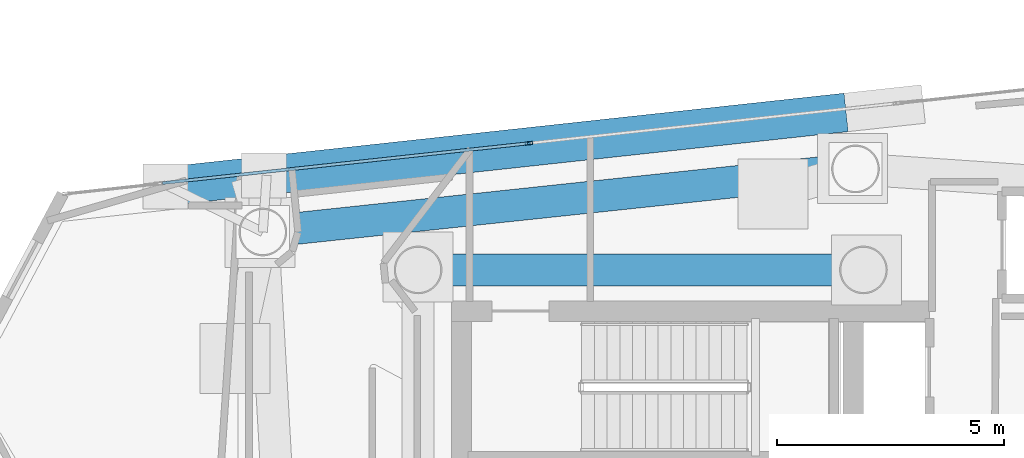
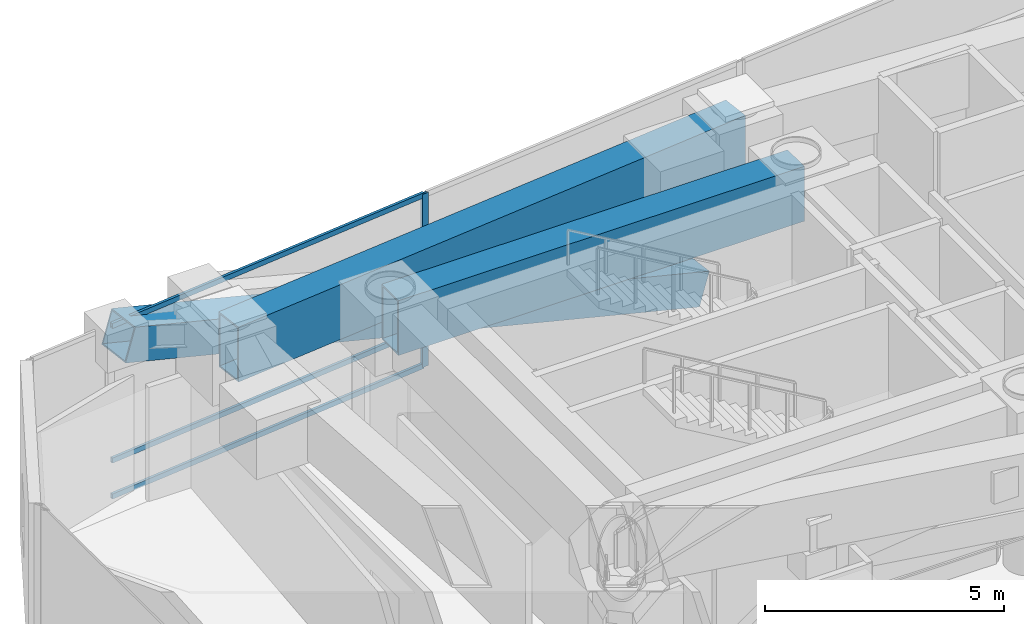
# One storey, part 10 of 21: 5 members, 2 beams, 1 element without a shape of its own.
"""IFC4 building model written with IfcOpenShell, lengths in metres."""

from ifc_helpers import new_model, si_unit, direction, frame, origin, origin_2d, place, context, subcontext, project, spatial, hollow_rectangle, extrude, material, layer, layer_set, material_profile, profile_set, type_object, element, aggregate, save


model = new_model("IFC4")

# Units and contexts
model_context = context("Model", 3, precision=1e-05, world=origin(), true_north=direction((0.0, 1.0)))
body_context = subcontext(model_context, "Body", "Model", "MODEL_VIEW")
ifc_project = project(units=[si_unit("LENGTHUNIT", "METRE"), si_unit("AREAUNIT", "SQUARE_METRE"), si_unit("VOLUMEUNIT", "CUBIC_METRE"), si_unit("PLANEANGLEUNIT", "RADIAN"), si_unit("MASSUNIT", "GRAM", prefix="KILO")], contexts=[model_context])

# Site, building, storey
site_placement = place(None, origin())
site = spatial("IfcSite", under=ifc_project, at=site_placement, CompositionType="ELEMENT")
building_placement = place(site_placement, origin())
building = spatial("IfcBuilding", under=site, at=building_placement, Name="Qianvela Tower", CompositionType="ELEMENT")
storey_placement = place(building_placement, frame((0.0, 0.0, 276.0)))
storey = spatial("IfcBuildingStorey", under=building, at=storey_placement, Name="L71", CompositionType="ELEMENT", Elevation=276.0)

# Beams
ifc_material_1 = material(Name="Steel Q420GJC", Category="steel")
ifc_material_profile_1 = material_profile(ifc_material_1, hollow_rectangle(XDim=0.699951171875, YDim=1.39990234375, WallThickness=0.0400390625, at=origin_2d()), Name="TG-BOX-1400x700x40")
ifc_profile_set_1 = profile_set([ifc_material_profile_1], Name="Steel Q420GJC")
beam_type = type_object("IfcBeamType", Name="BM-TG-RAD-1400", PredefinedType="BEAM", material=ifc_profile_set_1)
beam_1_placement = place(storey_placement, frame((28.60009765625, 33.550048828125, 3.718017578125), z_axis=(1.0, 0.0, 0.0), x_axis=(0.0, 1.0, 0.0)))
element("IfcBeam", 1, at=beam_1_placement, inside=storey, type_object=beam_type, Name="L71 Core Ring Transfer Girder 3", PredefinedType="BEAM", context=body_context, shape_type="SweptSolid", body=[
    extrude(hollow_rectangle(XDim=0.699951171875, YDim=1.39990234375, WallThickness=0.0400390625, at=origin_2d()), origin(), (0.0, 0.0, 1.0), 9.7998046875),
])
beam_2_placement = place(storey_placement, frame((38.22509765625, 35.77294921875, 3.718017578125), z_axis=(-0.994378160395, -0.105887081975, 0.0), x_axis=(0.105887081975, -0.994378160395, 0.0)))
element("IfcBeam", 2, at=beam_2_placement, inside=storey, type_object=beam_type, Name="L71 Perimeter Belt-Truss Top Ring Girder 2", PredefinedType="BEAM", context=body_context, shape_type="SweptSolid", body=[
    extrude(hollow_rectangle(XDim=0.699951171875, YDim=1.39990234375, WallThickness=0.0400390625, at=origin_2d()), origin(), (0.0, 0.0, 1.0), 13.116943359375),
])

# Curtain wall, members
ifc_material_2 = material(Name="Anodised Architectural Aluminium and Insulated Spandrel Panel", Category="aluminium")
ifc_layer = layer(ifc_material_2, 0.179931640625)
ifc_layer_set = layer_set([ifc_layer], Name="Anodised Architectural Aluminium and Insulated Spandrel Panel")
curtain_wall_type = type_object("IfcCurtainWallType", Name="CW-BRACEBAY", PredefinedType="USERDEFINED", material=ifc_layer_set)
curtain_wall_placement = place(storey_placement, origin())
curtain_wall = element("IfcCurtainWall", 3, at=curtain_wall_placement, inside=storey, type_object=curtain_wall_type, Name="L71 CW-BRACEBAY Curtain Wall 02B", ObjectType="CURTAIN_WALL_SYSTEM", PredefinedType="USERDEFINED")
ifc_material_3 = material(Name="Anodised Architectural Aluminium 6063-T6", Category="aluminium")
ifc_material_profile_2 = material_profile(ifc_material_3, hollow_rectangle(XDim=0.06494140625, YDim=0.159912109375, WallThickness=0.0048828125, at=origin_2d()), Name="ALU-MULL-65x160")
ifc_profile_set_2 = profile_set([ifc_material_profile_2], Name="Anodised Architectural Aluminium 6063-T6")
member_type_1 = type_object("IfcMemberType", Name="CW-BRACEBAY-MULL", PredefinedType="MULLION", material=ifc_profile_set_2)
member_1_placement = place(storey_placement, frame((31.037841796875, 36.33740234375, 0.0), z_axis=(0.0, 0.0, 1.0), x_axis=(0.108121993618, -0.994137633578, 0.0)))
member_1 = element("IfcMember", 4, at=member_1_placement, type_object=member_type_1, Name="CW-9 mullion 2", PredefinedType="MULLION", context=body_context, shape_type="SweptSolid", body=[
    extrude(hollow_rectangle(XDim=0.06494140625, YDim=0.159912109375, WallThickness=0.0048828125, at=origin_2d()), origin(), (0.0, 0.0, 1.0), 4.419921875),
])
ifc_material_4 = material(Name="Anodised Architectural Aluminium 6063-T6", Category="aluminium")
ifc_material_profile_3 = material_profile(ifc_material_4, hollow_rectangle(XDim=0.06494140625, YDim=0.1298828125, WallThickness=0.00439453125, at=origin_2d()), Name="ALU-TRAN-65x130")
ifc_profile_set_3 = profile_set([ifc_material_profile_3], Name="Anodised Architectural Aluminium 6063-T6")
member_type_2 = type_object("IfcMemberType", Name="CW-BRACEBAY-TRAN", PredefinedType="USERDEFINED", material=ifc_profile_set_3)
member_2_placement = place(storey_placement, frame((31.00537109375, 36.333984375, 0.032470703125), z_axis=(-0.994138320418, -0.108115678214, 0.0), x_axis=(0.108115678214, -0.994138320418, 0.0)))
member_2 = element("IfcMember", 5, at=member_2_placement, type_object=member_type_2, Name="CW-9 transom 2.1", ObjectType="TRANSOM", PredefinedType="USERDEFINED", context=body_context, shape_type="SweptSolid", body=[
    extrude(hollow_rectangle(XDim=0.06494140625, YDim=0.1298828125, WallThickness=0.00439453125, at=origin_2d()), origin(), (0.0, 0.0, 1.0), 8.077392578125),
])
member_3_placement = place(storey_placement, frame((31.00537109375, 36.333984375, 0.949951171875), z_axis=(-0.994138320418, -0.108115678214, 0.0), x_axis=(0.108115678214, -0.994138320418, 0.0)))
member_3 = element("IfcMember", 6, at=member_3_placement, type_object=member_type_2, Name="CW-9 transom 2.2", ObjectType="TRANSOM", PredefinedType="USERDEFINED", context=body_context, shape_type="SweptSolid", body=[
    extrude(hollow_rectangle(XDim=0.06494140625, YDim=0.1298828125, WallThickness=0.00439453125, at=origin_2d()), origin(), (0.0, 0.0, 1.0), 8.077392578125),
])
member_4_placement = place(storey_placement, frame((31.00537109375, 36.333984375, 4.387451171875), z_axis=(-0.994138320418, -0.108115678214, 0.0), x_axis=(0.108115678214, -0.994138320418, 0.0)))
member_4 = element("IfcMember", 7, at=member_4_placement, type_object=member_type_2, Name="CW-9 transom 2.3", ObjectType="TRANSOM", PredefinedType="USERDEFINED", context=body_context, shape_type="SweptSolid", body=[
    extrude(hollow_rectangle(XDim=0.06494140625, YDim=0.1298828125, WallThickness=0.00439453125, at=origin_2d()), origin(), (0.0, 0.0, 1.0), 8.077392578125),
])
aggregate(curtain_wall, [member_1, member_2, member_3, member_4])

# Member
ifc_material_5 = material(Name="Steel Q420GJC", Category="steel")
ifc_material_profile_4 = material_profile(ifc_material_5, hollow_rectangle(XDim=0.85009765625, YDim=0.85009765625, WallThickness=0.031982421875, at=origin_2d()), Name="MBOX-850x850x32")
ifc_profile_set_4 = profile_set([ifc_material_profile_4], Name="Steel Q420GJC")
member_type_3 = type_object("IfcMemberType", Name="MBR-MBRACE-850", PredefinedType="BRACE", material=ifc_profile_set_4)
member_5_placement = place(storey_placement, frame((37.8916015625, 37.00244140625, -0.60205078125), z_axis=(-0.947568171105, -0.10305844302, 0.302478955353), x_axis=(0.108123367155, -0.994137484192, 0.0)))
element("IfcMember", 8, at=member_5_placement, inside=storey, type_object=member_type_3, Name="L71 Tier 12 Exterior Mega-Brace F1B", PredefinedType="BRACE", context=body_context, shape_type="SweptSolid", body=[
    extrude(hollow_rectangle(XDim=0.85009765625, YDim=0.85009765625, WallThickness=0.031982421875, at=origin_2d()), origin(), (0.0, 0.0, 1.0), 15.604248046875),
])

save(model, "model.ifc")
